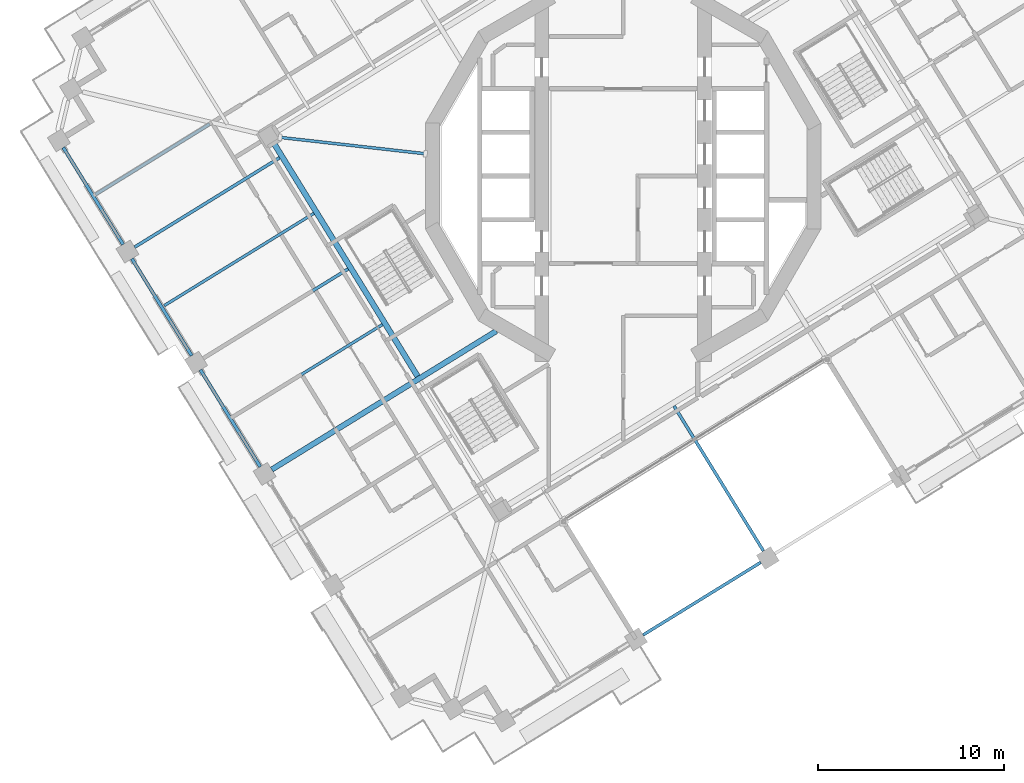
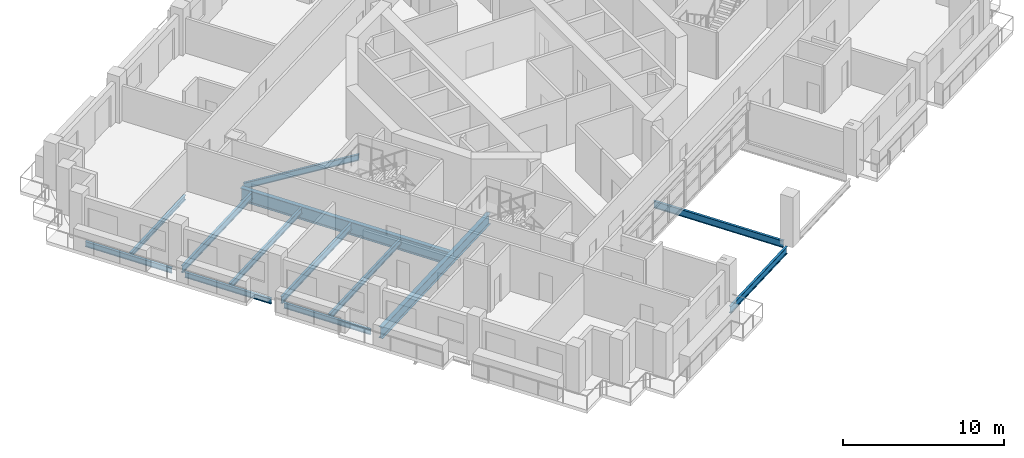
# One storey, part 3 of 22: 13 beams.
"""IFC4 building model written with IfcOpenShell, lengths in metres."""

from ifc_helpers import new_model, si_unit, direction, frame, origin, origin_2d, place, context, subcontext, project, spatial, i_section, extrude, material, material_profile, profile_set, type_object, element, save


model = new_model("IFC4")

# Units and contexts
model_context = context("Model", 3, precision=1e-05, world=origin(), true_north=direction((0.0, 1.0)))
body_context = subcontext(model_context, "Body", "Model", "MODEL_VIEW")
ifc_project = project(units=[si_unit("LENGTHUNIT", "METRE"), si_unit("AREAUNIT", "SQUARE_METRE"), si_unit("VOLUMEUNIT", "CUBIC_METRE"), si_unit("PLANEANGLEUNIT", "RADIAN"), si_unit("MASSUNIT", "GRAM", prefix="KILO")], contexts=[model_context])

# Site, building, storey
site_placement = place(None, origin())
site = spatial("IfcSite", under=ifc_project, at=site_placement, CompositionType="ELEMENT")
building_placement = place(site_placement, origin())
building = spatial("IfcBuilding", under=site, at=building_placement, Name="Cantera Rosa Tower", CompositionType="ELEMENT")
storey_placement = place(building_placement, frame((0.0, 0.0, 174.199951171875)))
storey = spatial("IfcBuildingStorey", under=building, at=storey_placement, Name="L38", CompositionType="ELEMENT", Elevation=174.199951171875)

# Beams
ifc_material_1 = material(Name="Steel ASTM A992 (Fy 345 MPa)", Category="steel")
ifc_material_profile_1 = material_profile(ifc_material_1, i_section(OverallWidth=0.300048828125, OverallDepth=0.990966796875, WebThickness=0.0166015625, FlangeThickness=0.030517578125, FilletRadius=0.030029296875, at=origin_2d()), Name="W1000X272")
ifc_profile_set_1 = profile_set([ifc_material_profile_1], Name="Steel ASTM A992 (Fy 345 MPa)")
beam_type_1 = type_object("IfcBeamType", Name="STEEL BEAM W1000X272", PredefinedType="BEAM", material=ifc_profile_set_1)
beam_1_placement = place(storey_placement, frame((-11.04541015625, -10.7607421875, -0.745361328125), z_axis=(-0.524974072618, 0.851118219215, 0.0), x_axis=(-0.851118219215, -0.524974072618, 0.0)))
element("IfcBeam", 1, at=beam_1_placement, inside=storey, type_object=beam_type_1, Name="RB-Z3-08 L38", PredefinedType="BEAM", context=body_context, shape_type="SweptSolid", body=[
    extrude(i_section(OverallWidth=0.300048828125, OverallDepth=0.990966796875, WebThickness=0.0166015625, FlangeThickness=0.030517578125, FilletRadius=0.030029296875, at=origin_2d()), origin(), (0.0, 0.0, 1.0), 14.7099609375),
])
ifc_material_2 = material(Name="Steel ASTM A992 (Fy 345 MPa)", Category="steel")
ifc_material_profile_2 = material_profile(ifc_material_2, i_section(OverallWidth=0.154052734375, OverallDepth=0.4599609375, WebThickness=0.009033203125, FlangeThickness=0.015380859375, FilletRadius=0.01025390625, at=origin_2d()), Name="W460X68")
ifc_profile_set_2 = profile_set([ifc_material_profile_2], Name="Steel ASTM A992 (Fy 345 MPa)")
beam_type_2 = type_object("IfcBeamType", Name="STEEL BEAM W460X68", PredefinedType="BEAM", material=ifc_profile_set_2)
beam_2_placement = place(storey_placement, frame((-18.435791015625, 2.078125, -0.47998046875), z_axis=(0.993707483767, -0.11200641368, 0.0), x_axis=(0.11200641368, 0.993707483767, 0.0)))
element("IfcBeam", 2, at=beam_2_placement, inside=storey, type_object=beam_type_2, Name="PG-Z3-01 L38", PredefinedType="BEAM", context=body_context, shape_type="SweptSolid", body=[
    extrude(i_section(OverallWidth=0.154052734375, OverallDepth=0.4599609375, WebThickness=0.009033203125, FlangeThickness=0.015380859375, FilletRadius=0.01025390625, at=origin_2d()), origin(), (0.0, 0.0, 1.0), 7.860107421875),
])
ifc_material_3 = material(Name="Steel ASTM A992 (Fy 345 MPa)", Category="steel")
ifc_material_profile_3 = material_profile(ifc_material_3, i_section(OverallWidth=0.166015625, OverallDepth=0.528076171875, WebThickness=0.009765625, FlangeThickness=0.013671875, FilletRadius=0.0126953125, at=origin_2d()), Name="W530X74")
ifc_profile_set_3 = profile_set([ifc_material_profile_3], Name="Steel ASTM A992 (Fy 345 MPa)")
beam_type_3 = type_object("IfcBeamType", Name="STEEL BEAM W530X74", PredefinedType="BEAM", material=ifc_profile_set_3)
beam_3_placement = place(storey_placement, frame((7.536376953125, -20.142578125, -0.513916015625), z_axis=(-0.524965057427, 0.851123779764, 0.0), x_axis=(-0.851123779764, -0.524965057427, 0.0)))
element("IfcBeam", 3, at=beam_3_placement, inside=storey, type_object=beam_type_3, Name="G-Z3-10 L38", PredefinedType="BEAM", context=body_context, shape_type="SweptSolid", body=[
    extrude(i_section(OverallWidth=0.166015625, OverallDepth=0.528076171875, WebThickness=0.009765625, FlangeThickness=0.013671875, FilletRadius=0.0126953125, at=origin_2d()), origin(), (0.0, 0.0, 1.0), 9.150146484375),
])
beam_4_placement = place(storey_placement, frame((-26.252685546875, -3.82080078125, -0.513916015625), z_axis=(0.851116426313, 0.524976979362, 0.0), x_axis=(-0.524976979362, 0.851116426313, 0.0)))
element("IfcBeam", 4, at=beam_4_placement, inside=storey, type_object=beam_type_3, Name="G-Z3-13 L38", PredefinedType="BEAM", context=body_context, shape_type="SweptSolid", body=[
    extrude(i_section(OverallWidth=0.166015625, OverallDepth=0.528076171875, WebThickness=0.009765625, FlangeThickness=0.013671875, FilletRadius=0.0126953125, at=origin_2d()), origin(), (0.0, 0.0, 1.0), 9.14990234375),
])
beam_5_placement = place(storey_placement, frame((-22.5673828125, -9.795654296875, -0.513916015625), z_axis=(0.851123779764, 0.524965057427, 0.0), x_axis=(-0.524965057427, 0.851123779764, 0.0)))
element("IfcBeam", 5, at=beam_5_placement, inside=storey, type_object=beam_type_3, Name="G-Z3-14 L38", PredefinedType="BEAM", context=body_context, shape_type="SweptSolid", body=[
    extrude(i_section(OverallWidth=0.166015625, OverallDepth=0.528076171875, WebThickness=0.009765625, FlangeThickness=0.013671875, FilletRadius=0.0126953125, at=origin_2d()), origin(), (0.0, 0.0, 1.0), 9.150146484375),
])
ifc_material_4 = material(Name="Steel ASTM A992 (Fy 345 MPa)", Category="steel")
ifc_material_profile_4 = material_profile(ifc_material_4, i_section(OverallWidth=0.2919921875, OverallDepth=0.8359375, WebThickness=0.013916015625, FlangeThickness=0.018798828125, FilletRadius=0.017822265625, at=origin_2d()), Name="W840X176")
ifc_profile_set_4 = profile_set([ifc_material_profile_4], Name="Steel ASTM A992 (Fy 345 MPa)")
beam_type_4 = type_object("IfcBeamType", Name="STEEL BEAM W840X176", PredefinedType="BEAM", material=ifc_profile_set_4)
beam_6_placement = place(storey_placement, frame((-18.882080078125, -15.7705078125, -0.66796875), z_axis=(0.8511231456, 0.524966085595, 0.0), x_axis=(-0.524966085595, 0.8511231456, 0.0)))
element("IfcBeam", 6, at=beam_6_placement, inside=storey, type_object=beam_type_4, Name="G-Z3-15 L38", PredefinedType="BEAM", context=body_context, shape_type="SweptSolid", body=[
    extrude(i_section(OverallWidth=0.2919921875, OverallDepth=0.8359375, WebThickness=0.013916015625, FlangeThickness=0.018798828125, FilletRadius=0.017822265625, at=origin_2d()), origin(), (0.0, 0.0, 1.0), 14.17138671875),
])
ifc_material_5 = material(Name="Steel ASTM A992 (Fy 345 MPa)", Category="steel")
ifc_material_profile_5 = material_profile(ifc_material_5, i_section(OverallWidth=0.1708984375, OverallDepth=0.35595703125, WebThickness=0.00732421875, FlangeThickness=0.01171875, FilletRadius=0.010009765625, at=origin_2d()), Name="W360X51")
ifc_profile_set_5 = profile_set([ifc_material_profile_5], Name="Steel ASTM A992 (Fy 345 MPa)")
beam_type_5 = type_object("IfcBeamType", Name="STEEL JOIST W360X51", PredefinedType="JOIST", material=ifc_profile_set_5)
beam_7_placement = place(storey_placement, frame((-28.3505859375, -0.990966796875, -0.427978515625), z_axis=(0.851109089911, 0.524988873283, 0.0), x_axis=(-0.524988873283, 0.851109089911, 0.0)))
element("IfcBeam", 7, at=beam_7_placement, inside=storey, type_object=beam_type_5, Name="B-Z3-16 L38", PredefinedType="JOIST", context=body_context, shape_type="SweptSolid", body=[
    extrude(i_section(OverallWidth=0.1708984375, OverallDepth=0.35595703125, WebThickness=0.00732421875, FlangeThickness=0.01171875, FilletRadius=0.010009765625, at=origin_2d()), origin(), (0.0, 0.0, 1.0), 7.2099609375),
])
ifc_material_6 = material(Name="Steel ASTM A992 (Fy 345 MPa)", Category="steel")
ifc_material_profile_6 = material_profile(ifc_material_6, i_section(OverallWidth=0.154052734375, OverallDepth=0.4599609375, WebThickness=0.009033203125, FlangeThickness=0.015380859375, FilletRadius=0.01025390625, at=origin_2d()), Name="W460X68")
ifc_profile_set_6 = profile_set([ifc_material_profile_6], Name="Steel ASTM A992 (Fy 345 MPa)")
beam_type_6 = type_object("IfcBeamType", Name="STEEL JOIST W460X68", PredefinedType="JOIST", material=ifc_profile_set_6)
for number, where, z_axis, x_axis, name in (
    (8, (-24.665283203125, -6.9658203125, -0.47998046875), (0.851118539758, 0.524973552935, 0.0), (-0.524973552935, 0.851118539758, 0.0), "B-Z3-17 L38"),
    (9, (-20.97998046875, -12.940673828125, -0.47998046875), (0.851118539758, 0.524973552935, 0.0), (-0.524973552935, 0.851118539758, 0.0), "B-Z3-18 L38"),
):
    element("IfcBeam", number, at=place(storey_placement, frame(where, z_axis=z_axis, x_axis=x_axis)), inside=storey, type_object=beam_type_6, Name=name, PredefinedType="JOIST", context=body_context, shape_type="SweptSolid", body=[
        extrude(i_section(OverallWidth=0.154052734375, OverallDepth=0.4599609375, WebThickness=0.009033203125, FlangeThickness=0.015380859375, FilletRadius=0.01025390625, at=origin_2d()), origin(), (0.0, 0.0, 1.0), 9.449951171875),
    ])
ifc_material_7 = material(Name="Steel ASTM A992 (Fy 345 MPa)", Category="steel")
ifc_material_profile_7 = material_profile(ifc_material_7, i_section(OverallWidth=0.177978515625, OverallDepth=0.406005859375, WebThickness=0.0078125, FlangeThickness=0.0126953125, FilletRadius=0.01025390625, at=origin_2d()), Name="W410X60")
ifc_profile_set_7 = profile_set([ifc_material_profile_7], Name="Steel ASTM A992 (Fy 345 MPa)")
beam_type_7 = type_object("IfcBeamType", Name="STEEL SPANDREL BEAM W410X60", PredefinedType="SPANDREL", material=ifc_profile_set_7)
for number, where, z_axis, x_axis, name in (
    (10, (-30.084716796875, 1.53466796875, -0.452880859375), (0.524987447654, -0.851109969279, 0.0), (0.851109969279, 0.524987447654, 0.0), "EB-Z3-15 L38"),
    (11, (-26.3994140625, -4.440185546875, -0.452880859375), (0.524987447654, -0.851109969279, 0.0), (0.851109969279, 0.524987447654, 0.0), "EB-Z3-16 L38"),
    (12, (-22.714111328125, -10.4150390625, -0.452880859375), (0.524987447654, -0.851109969279, 0.0), (0.851109969279, 0.524987447654, 0.0), "EB-Z3-17 L38"),
):
    element("IfcBeam", number, at=place(storey_placement, frame(where, z_axis=z_axis, x_axis=x_axis)), inside=storey, type_object=beam_type_7, Name=name, PredefinedType="SPANDREL", context=body_context, shape_type="SweptSolid", body=[
        extrude(i_section(OverallWidth=0.177978515625, OverallDepth=0.406005859375, WebThickness=0.0078125, FlangeThickness=0.0126953125, FilletRadius=0.01025390625, at=origin_2d()), origin(), (0.0, 0.0, 1.0), 6.119873046875),
    ])
ifc_material_8 = material(Name="Steel ASTM A992 (Fy 345 MPa)", Category="steel")
ifc_material_profile_8 = material_profile(ifc_material_8, i_section(OverallWidth=0.166015625, OverallDepth=0.528076171875, WebThickness=0.009765625, FlangeThickness=0.013671875, FilletRadius=0.0126953125, at=origin_2d()), Name="W530X74")
ifc_profile_set_8 = profile_set([ifc_material_profile_8], Name="Steel ASTM A992 (Fy 345 MPa)")
beam_type_8 = type_object("IfcBeamType", Name="STEEL SPANDREL BEAM W530X74", PredefinedType="SPANDREL", material=ifc_profile_set_8)
beam_8_placement = place(storey_placement, frame((1.07421875, -24.656982421875, -0.513916015625), z_axis=(0.85112578684, 0.524961803349, 0.0), x_axis=(-0.524961803349, 0.85112578684, 0.0)))
element("IfcBeam", 13, at=beam_8_placement, inside=storey, type_object=beam_type_8, Name="EB-Z3-23 L38", PredefinedType="SPANDREL", context=body_context, shape_type="SweptSolid", body=[
    extrude(i_section(OverallWidth=0.166015625, OverallDepth=0.528076171875, WebThickness=0.009765625, FlangeThickness=0.013671875, FilletRadius=0.0126953125, at=origin_2d()), origin(), (0.0, 0.0, 1.0), 7.420166015625),
])

save(model, "model.ifc")
